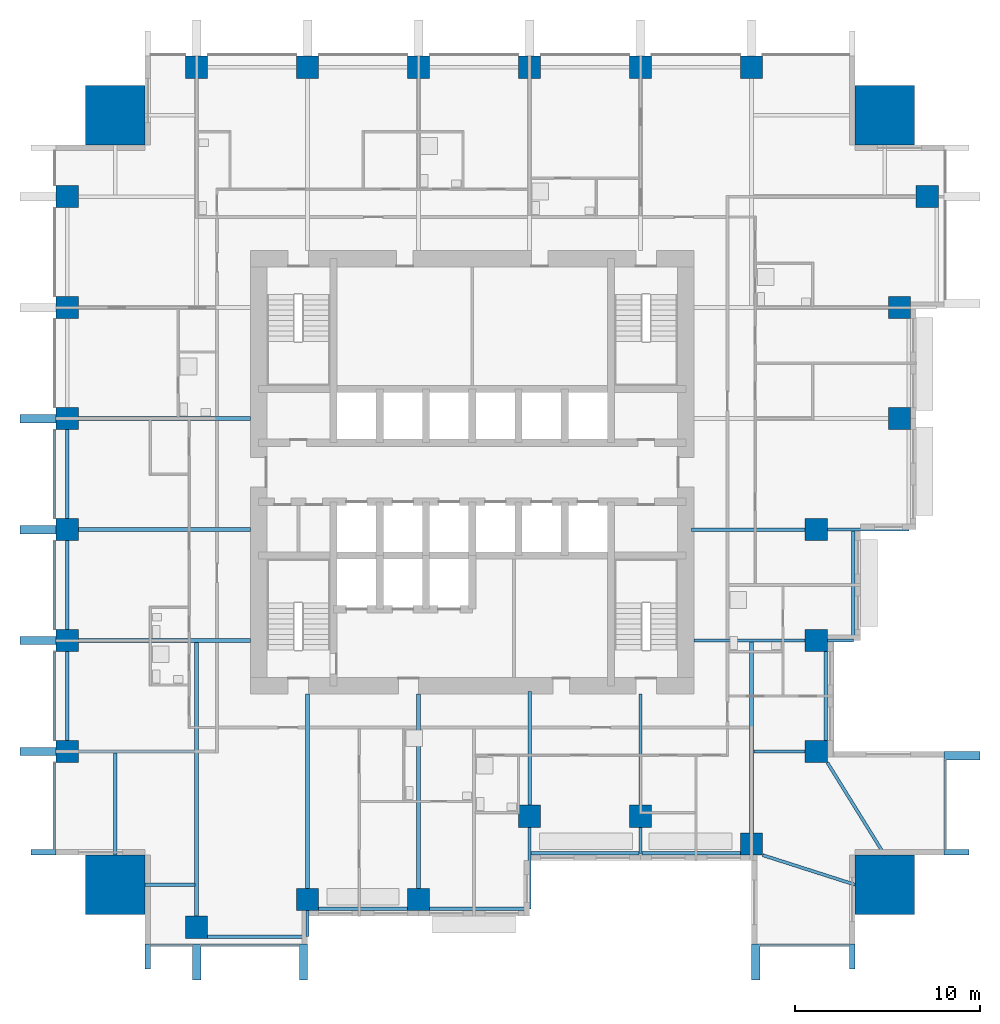
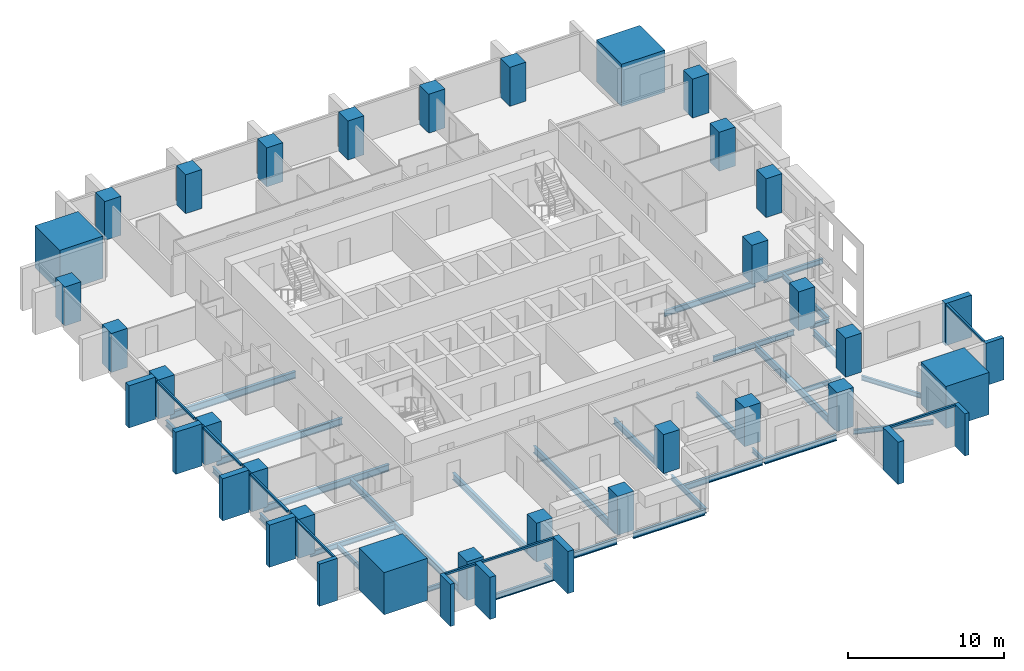
# One storey, part 1 of 10: 32 beams, 28 columns, 20 members, 4 elements without a shape of their own.
"""IFC4 building model written with IfcOpenShell, lengths in metres."""

from ifc_helpers import new_model, si_unit, direction, frame, origin, origin_2d, place, context, subcontext, project, spatial, rectangle, i_section, extrude, material, material_profile, profile_set, type_object, element, aggregate, save


model = new_model("IFC4")

# Units and contexts
model_context = context("Model", 3, precision=1e-05, world=origin(), true_north=direction((0.0, 1.0)))
body_context = subcontext(model_context, "Body", "Model", "MODEL_VIEW")
ifc_project = project(units=[si_unit("LENGTHUNIT", "METRE"), si_unit("AREAUNIT", "SQUARE_METRE"), si_unit("VOLUMEUNIT", "CUBIC_METRE"), si_unit("PLANEANGLEUNIT", "RADIAN"), si_unit("MASSUNIT", "GRAM", prefix="KILO")], contexts=[model_context])

# Site, building, storey
site_placement = place(None, origin())
site = spatial("IfcSite", under=ifc_project, at=site_placement, CompositionType="ELEMENT")
building_placement = place(site_placement, origin())
building = spatial("IfcBuilding", under=site, at=building_placement, Name="Amberfall Residences", CompositionType="ELEMENT")
storey_placement = place(building_placement, frame((0.0, 0.0, 40.0)))
storey = spatial("IfcBuildingStorey", under=building, at=storey_placement, Name="L10", CompositionType="ELEMENT", Elevation=40.0)

# Columns
ifc_material_1 = material(Name="Concrete C80", Category="concrete")
ifc_material_profile_1 = material_profile(ifc_material_1, rectangle(XDim=1.199951171875, YDim=1.199951171875, at=origin_2d()), Name="Column 1200 x 1200 C80")
ifc_profile_set_1 = profile_set([ifc_material_profile_1], Name="Concrete C80")
column_type_1 = type_object("IfcColumnType", Name="Column 1200 x 1200 C80", PredefinedType="COLUMN", material=ifc_profile_set_1)
for number, where, z_axis, x_axis, name in (
    (1, (59.60009765625, 20.89990234375, 0.0), (0.0, 0.0, 1.0), (1.0, 0.0, 0.0), "Column C1 L10 S1"),
    (2, (65.60009765625, 22.39990234375, 0.0), (0.0, 0.0, 1.0), (1.0, 0.0, 0.0), "Column C1 L10 S2"),
    (3, (71.60009765625, 22.39990234375, 0.0), (0.0, 0.0, 1.0), (1.0, 0.0, 0.0), "Column C1 L10 S3"),
    (4, (77.60009765625, 26.89990234375, 0.0), (0.0, 0.0, 1.0), (1.0, 0.0, 0.0), "Column C1 L10 S4"),
    (5, (83.60009765625, 26.89990234375, 0.0), (0.0, 0.0, 1.0), (1.0, 0.0, 0.0), "Column C1 L10 S5"),
    (6, (89.60009765625, 25.39990234375, 0.0), (0.0, 0.0, 1.0), (1.0, 0.0, 0.0), "Column C1 L10 S6"),
    (7, (93.10009765625, 30.39990234375, 0.0), (0.0, 0.0, 1.0), (1.0, 0.0, 0.0), "Column C1 L10 E1"),
    (8, (93.10009765625, 36.39990234375, 0.0), (0.0, 0.0, 1.0), (1.0, 0.0, 0.0), "Column C1 L10 E2"),
    (9, (93.10009765625, 42.39990234375, 0.0), (0.0, 0.0, 1.0), (1.0, 0.0, 0.0), "Column C1 L10 E3"),
    (10, (97.60009765625, 48.39990234375, 0.0), (0.0, 0.0, 1.0), (1.0, 0.0, 0.0), "Column C1 L10 E4"),
    (11, (97.60009765625, 54.39990234375, 0.0), (0.0, 0.0, 1.0), (1.0, 0.0, 0.0), "Column C1 L10 E5"),
    (12, (99.10009765625, 60.39990234375, 0.0), (0.0, 0.0, 1.0), (1.0, 0.0, 0.0), "Column C1 L10 E6"),
    (13, (59.60009765625, 67.39990234375, 0.0), (0.0, 0.0, 1.0), (1.0, 0.0, 0.0), "Column C1 L10 N1"),
    (14, (65.60009765625, 67.39990234375, 0.0), (0.0, 0.0, 1.0), (1.0, 0.0, 0.0), "Column C1 L10 N2"),
    (15, (71.60009765625, 67.39990234375, 0.0), (0.0, 0.0, 1.0), (1.0, 0.0, 0.0), "Column C1 L10 N3"),
    (16, (77.60009765625, 67.39990234375, 0.0), (0.0, 0.0, 1.0), (1.0, 0.0, 0.0), "Column C1 L10 N4"),
    (17, (83.60009765625, 67.39990234375, 0.0), (0.0, 0.0, 1.0), (1.0, 0.0, 0.0), "Column C1 L10 N5"),
    (18, (89.60009765625, 67.39990234375, 0.0), (0.0, 0.0, 1.0), (1.0, 0.0, 0.0), "Column C1 L10 N6"),
    (19, (52.60009765625, 30.39990234375, 0.0), (0.0, 0.0, 1.0), (1.0, 0.0, 0.0), "Column C1 L10 W1"),
    (20, (52.60009765625, 36.39990234375, 0.0), (0.0, 0.0, 1.0), (1.0, 0.0, 0.0), "Column C1 L10 W2"),
    (21, (52.60009765625, 42.39990234375, 0.0), (0.0, 0.0, 1.0), (1.0, 0.0, 0.0), "Column C1 L10 W3"),
    (22, (52.60009765625, 48.39990234375, 0.0), (0.0, 0.0, 1.0), (1.0, 0.0, 0.0), "Column C1 L10 W4"),
    (23, (52.60009765625, 54.39990234375, 0.0), (0.0, 0.0, 1.0), (1.0, 0.0, 0.0), "Column C1 L10 W5"),
    (24, (52.60009765625, 60.39990234375, 0.0), (0.0, 0.0, 1.0), (1.0, 0.0, 0.0), "Column C1 L10 W6"),
):
    element("IfcColumn", number, at=place(storey_placement, frame(where, z_axis=z_axis, x_axis=x_axis)), inside=storey, type_object=column_type_1, Name=name, PredefinedType="COLUMN", context=body_context, shape_type="SweptSolid", body=[
        extrude(rectangle(XDim=1.199951171875, YDim=1.199951171875, at=origin_2d()), origin(), (0.0, 0.0, 1.0), 3.050048828125),
    ])
ifc_material_profile_2 = material_profile(ifc_material_1, rectangle(XDim=3.199951171875, YDim=3.199951171875, at=origin_2d()), Name="Mega column 3200 x 3200 C80")
ifc_profile_set_2 = profile_set([ifc_material_profile_2], Name="Concrete C80")
column_type_2 = type_object("IfcColumnType", Name="Mega column 3200 x 3200 C80", PredefinedType="COLUMN", material=ifc_profile_set_2)
for number, where, z_axis, x_axis, name in (
    (25, (55.199951171875, 23.199951171875, 0.0), (0.0, 0.0, 1.0), (1.0, 0.0, 0.0), "Mega column MC1 L10 SW"),
    (26, (96.800048828125, 23.199951171875, 0.0), (0.0, 0.0, 1.0), (1.0, 0.0, 0.0), "Mega column MC1 L10 SE"),
    (27, (96.800048828125, 64.800048828125, 0.0), (0.0, 0.0, 1.0), (1.0, 0.0, 0.0), "Mega column MC1 L10 NE"),
    (28, (55.199951171875, 64.800048828125, 0.0), (0.0, 0.0, 1.0), (1.0, 0.0, 0.0), "Mega column MC1 L10 NW"),
):
    element("IfcColumn", number, at=place(storey_placement, frame(where, z_axis=z_axis, x_axis=x_axis)), inside=storey, type_object=column_type_2, Name=name, PredefinedType="COLUMN", context=body_context, shape_type="SweptSolid", body=[
        extrude(rectangle(XDim=3.199951171875, YDim=3.199951171875, at=origin_2d()), origin(), (0.0, 0.0, 1.0), 3.300048828125),
    ])

# Curtain wall, members
ifc_material_2 = material(Name="Bronze anodised aluminium and glass", Category="aluminium")
curtain_wall_type = type_object("IfcCurtainWallType", Name="Curtain wall CW1 tower unit", PredefinedType="USERDEFINED", material=ifc_material_2)
curtain_wall_1_placement = place(storey_placement, origin())
curtain_wall_1 = element("IfcCurtainWall", 29, at=curtain_wall_1_placement, inside=storey, type_object=curtain_wall_type, Name="Curtain wall L10 S S1", ObjectType="UNITISED CURTAIN WALL", PredefinedType="USERDEFINED")
ifc_material_3 = material(Name="Bronze anodised aluminium", Category="aluminium")
ifc_material_profile_3 = material_profile(ifc_material_3, rectangle(XDim=0.14990234375, YDim=0.14990234375, at=origin_2d()), Name="CW1 transom 150 x 150 bronze")
ifc_profile_set_3 = profile_set([ifc_material_profile_3], Name="Bronze anodised aluminium")
member_type_1 = type_object("IfcMemberType", Name="CW1 transom 150 x 150 bronze", PredefinedType="USERDEFINED", material=ifc_profile_set_3)
member_1_placement = place(storey_placement, frame((57.10009765625, 19.925048828125, 2.97509765625), z_axis=(1.0, 0.0, 0.0), x_axis=(0.0, 1.0, 0.0)))
member_1 = element("IfcMember", 30, at=member_1_placement, type_object=member_type_1, Name="CW1 transom 1.1", ObjectType="TRANSOM", PredefinedType="USERDEFINED", context=body_context, shape_type="SweptSolid", body=[
    extrude(rectangle(XDim=0.14990234375, YDim=0.14990234375, at=origin_2d()), origin(), (0.0, 0.0, 1.0), 2.27490234375),
])
member_2_placement = place(storey_placement, frame((59.824951171875, 19.925048828125, 2.97509765625), z_axis=(1.0, 0.0, 0.0), x_axis=(0.0, 1.0, 0.0)))
member_2 = element("IfcMember", 31, at=member_2_placement, type_object=member_type_1, Name="CW1 transom 2.1", ObjectType="TRANSOM", PredefinedType="USERDEFINED", context=body_context, shape_type="SweptSolid", body=[
    extrude(rectangle(XDim=0.14990234375, YDim=0.14990234375, at=origin_2d()), origin(), (0.0, 0.0, 1.0), 5.324951171875),
])

# Curtain wall, member
curtain_wall_2_placement = place(storey_placement, origin())
curtain_wall_2 = element("IfcCurtainWall", 32, at=curtain_wall_2_placement, inside=storey, type_object=curtain_wall_type, Name="Curtain wall L10 S S9", ObjectType="UNITISED CURTAIN WALL", PredefinedType="USERDEFINED")
member_3_placement = place(storey_placement, frame((90.050048828125, 19.925048828125, 2.97509765625), z_axis=(1.0, 0.0, 0.0), x_axis=(0.0, 1.0, 0.0)))
member_3 = element("IfcMember", 33, at=member_3_placement, type_object=member_type_1, Name="CW1 transom 1.1", ObjectType="TRANSOM", PredefinedType="USERDEFINED", context=body_context, shape_type="SweptSolid", body=[
    extrude(rectangle(XDim=0.14990234375, YDim=0.14990234375, at=origin_2d()), origin(), (0.0, 0.0, 1.0), 4.849853515625),
])

curtain_wall_3_placement = place(storey_placement, origin())
curtain_wall_3 = element("IfcCurtainWall", 34, at=curtain_wall_3_placement, inside=storey, type_object=curtain_wall_type, Name="Curtain wall L10 E E1", ObjectType="UNITISED CURTAIN WALL", PredefinedType="USERDEFINED")
member_4_placement = place(storey_placement, frame((100.074951171875, 25.10009765625, 2.97509765625), z_axis=(0.0, 1.0, 0.0), x_axis=(-1.0, 0.0, 0.0)))
member_4 = element("IfcMember", 35, at=member_4_placement, type_object=member_type_1, Name="CW1 transom 1.1", ObjectType="TRANSOM", PredefinedType="USERDEFINED", context=body_context, shape_type="SweptSolid", body=[
    extrude(rectangle(XDim=0.14990234375, YDim=0.14990234375, at=origin_2d()), origin(), (0.0, 0.0, 1.0), 4.849853515625),
])

# Curtain wall, members
curtain_wall_4_placement = place(storey_placement, origin())
curtain_wall_4 = element("IfcCurtainWall", 36, at=curtain_wall_4_placement, inside=storey, type_object=curtain_wall_type, Name="Curtain wall L10 W W1", ObjectType="UNITISED CURTAIN WALL", PredefinedType="USERDEFINED")
member_5_placement = place(storey_placement, frame((51.925048828125, 47.794921875, 2.97509765625), z_axis=(0.0, -1.0, 0.0), x_axis=(1.0, 0.0, 0.0)))
member_5 = element("IfcMember", 37, at=member_5_placement, type_object=member_type_1, Name="CW1 transom 4.1", ObjectType="TRANSOM", PredefinedType="USERDEFINED", context=body_context, shape_type="SweptSolid", body=[
    extrude(rectangle(XDim=0.14990234375, YDim=0.14990234375, at=origin_2d()), origin(), (0.0, 0.0, 1.0), 4.7900390625),
])
member_6_placement = place(storey_placement, frame((51.925048828125, 41.794921875, 2.97509765625), z_axis=(0.0, -1.0, 0.0), x_axis=(1.0, 0.0, 0.0)))
member_6 = element("IfcMember", 38, at=member_6_placement, type_object=member_type_1, Name="CW1 transom 5.1", ObjectType="TRANSOM", PredefinedType="USERDEFINED", context=body_context, shape_type="SweptSolid", body=[
    extrude(rectangle(XDim=0.14990234375, YDim=0.14990234375, at=origin_2d()), origin(), (0.0, 0.0, 1.0), 4.7900390625),
])
member_7_placement = place(storey_placement, frame((51.925048828125, 35.794921875, 2.97509765625), z_axis=(0.0, -1.0, 0.0), x_axis=(1.0, 0.0, 0.0)))
member_7 = element("IfcMember", 39, at=member_7_placement, type_object=member_type_1, Name="CW1 transom 6.1", ObjectType="TRANSOM", PredefinedType="USERDEFINED", context=body_context, shape_type="SweptSolid", body=[
    extrude(rectangle(XDim=0.14990234375, YDim=0.14990234375, at=origin_2d()), origin(), (0.0, 0.0, 1.0), 4.7900390625),
])
member_8_placement = place(storey_placement, frame((51.925048828125, 29.794921875, 2.97509765625), z_axis=(0.0, -1.0, 0.0), x_axis=(1.0, 0.0, 0.0)))
member_8 = element("IfcMember", 40, at=member_8_placement, type_object=member_type_1, Name="CW1 transom 7.1", ObjectType="TRANSOM", PredefinedType="USERDEFINED", context=body_context, shape_type="SweptSolid", body=[
    extrude(rectangle(XDim=0.14990234375, YDim=0.14990234375, at=origin_2d()), origin(), (0.0, 0.0, 1.0), 4.69482421875),
])

# Beams
ifc_material_4 = material(Name="Steel S355", Category="steel")
ifc_material_profile_4 = material_profile(ifc_material_4, i_section(OverallWidth=0.171142578125, OverallDepth=0.351318359375, WebThickness=0.007080078125, FlangeThickness=0.009765625, FilletRadius=0.01025390625, at=origin_2d()), Name="UB 356x171x45")
ifc_profile_set_4 = profile_set([ifc_material_profile_4], Name="Steel S355")
beam_type_1 = type_object("IfcBeamType", Name="Cantilever girder UB 356x171x45", PredefinedType="BEAM", material=ifc_profile_set_4)
for number, where, z_axis, x_axis, name in (
    (41, (65.60009765625, 21.800048828125, -0.42578125), (0.0, -1.0, 0.0), (1.0, 0.0, 0.0), "Cantilever girder B8 L10 06"),
    (42, (83.60009765625, 26.300048828125, -0.42578125), (0.0, -1.0, 0.0), (1.0, 0.0, 0.0), "Cantilever girder B8 L10 08"),
    (43, (93.699951171875, 36.39990234375, -0.42578125), (1.0, 0.0, 0.0), (0.0, 1.0, 0.0), "Cantilever girder B8 L10 20"),
):
    element("IfcBeam", number, at=place(storey_placement, frame(where, z_axis=z_axis, x_axis=x_axis)), inside=storey, type_object=beam_type_1, Name=name, PredefinedType="BEAM", context=body_context, shape_type="SweptSolid", body=[
        extrude(i_section(OverallWidth=0.171142578125, OverallDepth=0.351318359375, WebThickness=0.007080078125, FlangeThickness=0.009765625, FilletRadius=0.01025390625, at=origin_2d()), origin(), (0.0, 0.0, 1.0), 1.400146484375),
    ])
ifc_material_profile_5 = material_profile(ifc_material_4, i_section(OverallWidth=0.177734375, OverallDepth=0.402587890625, WebThickness=0.0078125, FlangeThickness=0.010986328125, FilletRadius=0.01025390625, at=origin_2d()), Name="UB 406x178x54")
ifc_profile_set_5 = profile_set([ifc_material_profile_5], Name="Steel S355")
beam_type_2 = type_object("IfcBeamType", Name="Cantilever girder UB 406x178x54", PredefinedType="BEAM", material=ifc_profile_set_5)
for number, where, z_axis, x_axis, name in (
    (44, (77.60009765625, 26.300048828125, -0.451416015625), (0.0, -1.0, 0.0), (1.0, 0.0, 0.0), "Cantilever girder B9 L10 07"),
    (45, (93.699951171875, 42.39990234375, -0.451416015625), (1.0, 0.0, 0.0), (0.0, 1.0, 0.0), "Cantilever girder B9 L10 21"),
):
    element("IfcBeam", number, at=place(storey_placement, frame(where, z_axis=z_axis, x_axis=x_axis)), inside=storey, type_object=beam_type_2, Name=name, PredefinedType="BEAM", context=body_context, shape_type="SweptSolid", body=[
        extrude(i_section(OverallWidth=0.177734375, OverallDepth=0.402587890625, WebThickness=0.0078125, FlangeThickness=0.010986328125, FilletRadius=0.01025390625, at=origin_2d()), origin(), (0.0, 0.0, 1.0), 4.400146484375),
    ])

# Member
ifc_material_profile_6 = material_profile(ifc_material_3, rectangle(XDim=1.35009765625, YDim=0.300048828125, at=origin_2d()), Name="Corner fin 300 x 1350 bronze")
ifc_profile_set_6 = profile_set([ifc_material_profile_6], Name="Bronze anodised aluminium")
member_type_2 = type_object("IfcMemberType", Name="Corner fin 300 x 1350 bronze", PredefinedType="MULLION", material=ifc_profile_set_6)
member_9_placement = place(storey_placement, frame((56.949951171875, 19.324951171875, -0.25), z_axis=(0.0, 0.0, 1.0), x_axis=(0.0, 1.0, 0.0)))
member_9 = element("IfcMember", 46, at=member_9_placement, type_object=member_type_2, Name="CW FIN 1", PredefinedType="MULLION", context=body_context, shape_type="SweptSolid", body=[
    extrude(rectangle(XDim=1.35009765625, YDim=0.300048828125, at=origin_2d()), origin(), (0.0, 0.0, 1.0), 3.300048828125),
])

member_10_placement = place(storey_placement, frame((95.050048828125, 19.324951171875, -0.25), z_axis=(0.0, 0.0, 1.0), x_axis=(0.0, 1.0, 0.0)))
member_10 = element("IfcMember", 47, at=member_10_placement, type_object=member_type_2, Name="CW FIN 2", PredefinedType="MULLION", context=body_context, shape_type="SweptSolid", body=[
    extrude(rectangle(XDim=1.35009765625, YDim=0.300048828125, at=origin_2d()), origin(), (0.0, 0.0, 1.0), 3.300048828125),
])

member_11_placement = place(storey_placement, frame((100.675048828125, 24.949951171875, -0.25), z_axis=(0.0, 0.0, 1.0), x_axis=(-1.0, 0.0, 0.0)))
member_11 = element("IfcMember", 48, at=member_11_placement, type_object=member_type_2, Name="CW FIN 1", PredefinedType="MULLION", context=body_context, shape_type="SweptSolid", body=[
    extrude(rectangle(XDim=1.35009765625, YDim=0.300048828125, at=origin_2d()), origin(), (0.0, 0.0, 1.0), 3.300048828125),
])

member_12_placement = place(storey_placement, frame((51.324951171875, 24.949951171875, -0.25), z_axis=(0.0, 0.0, 1.0), x_axis=(1.0, 0.0, 0.0)))
member_12 = element("IfcMember", 49, at=member_12_placement, type_object=member_type_2, Name="CW FIN 8", PredefinedType="MULLION", context=body_context, shape_type="SweptSolid", body=[
    extrude(rectangle(XDim=1.35009765625, YDim=0.300048828125, at=origin_2d()), origin(), (0.0, 0.0, 1.0), 3.300048828125),
])

# Beams
ifc_material_profile_7 = material_profile(ifc_material_4, i_section(OverallWidth=0.18994140625, OverallDepth=0.453369140625, WebThickness=0.008544921875, FlangeThickness=0.0126953125, FilletRadius=0.01025390625, at=origin_2d()), Name="UB 457x191x67")
ifc_profile_set_7 = profile_set([ifc_material_profile_7], Name="Steel S355")
beam_type_3 = type_object("IfcBeamType", Name="Edge beam UB 457x191x67", PredefinedType="SPANDREL", material=ifc_profile_set_7)
beam_1_placement = place(storey_placement, frame((60.199951171875, 20.39990234375, -0.476806640625), z_axis=(1.0, 0.0, 0.0), x_axis=(0.0, 1.0, 0.0)))
element("IfcBeam", 50, at=beam_1_placement, inside=storey, type_object=beam_type_3, Name="Edge beam B1 L10 01", PredefinedType="SPANDREL", context=body_context, shape_type="SweptSolid", body=[
    extrude(i_section(OverallWidth=0.18994140625, OverallDepth=0.453369140625, WebThickness=0.008544921875, FlangeThickness=0.0126953125, FilletRadius=0.01025390625, at=origin_2d()), origin(), (0.0, 0.0, 1.0), 5.320068359375),
])
beam_2_placement = place(storey_placement, frame((66.199951171875, 21.89990234375, -0.476806640625), z_axis=(1.0, 0.0, 0.0), x_axis=(0.0, 1.0, 0.0)))
element("IfcBeam", 51, at=beam_2_placement, inside=storey, type_object=beam_type_3, Name="Edge beam B1 L10 02", PredefinedType="SPANDREL", context=body_context, shape_type="SweptSolid", body=[
    extrude(i_section(OverallWidth=0.18994140625, OverallDepth=0.453369140625, WebThickness=0.008544921875, FlangeThickness=0.0126953125, FilletRadius=0.01025390625, at=origin_2d()), origin(), (0.0, 0.0, 1.0), 4.800048828125),
])
beam_3_placement = place(storey_placement, frame((72.199951171875, 21.89990234375, -0.476806640625), z_axis=(1.0, 0.0, 0.0), x_axis=(0.0, 1.0, 0.0)))
element("IfcBeam", 52, at=beam_3_placement, inside=storey, type_object=beam_type_3, Name="Edge beam B1 L10 03", PredefinedType="SPANDREL", context=body_context, shape_type="SweptSolid", body=[
    extrude(i_section(OverallWidth=0.18994140625, OverallDepth=0.453369140625, WebThickness=0.008544921875, FlangeThickness=0.0126953125, FilletRadius=0.01025390625, at=origin_2d()), origin(), (0.0, 0.0, 1.0), 5.320068359375),
])
beam_4_placement = place(storey_placement, frame((77.679931640625, 24.89990234375, -0.476806640625), z_axis=(1.0, 0.0, 0.0), x_axis=(0.0, 1.0, 0.0)))
element("IfcBeam", 53, at=beam_4_placement, inside=storey, type_object=beam_type_3, Name="Edge beam B1 L10 04", PredefinedType="SPANDREL", context=body_context, shape_type="SweptSolid", body=[
    extrude(i_section(OverallWidth=0.18994140625, OverallDepth=0.453369140625, WebThickness=0.008544921875, FlangeThickness=0.0126953125, FilletRadius=0.01025390625, at=origin_2d()), origin(), (0.0, 0.0, 1.0), 5.840087890625),
])
beam_5_placement = place(storey_placement, frame((83.679931640625, 24.89990234375, -0.476806640625), z_axis=(1.0, 0.0, 0.0), x_axis=(0.0, 1.0, 0.0)))
element("IfcBeam", 54, at=beam_5_placement, inside=storey, type_object=beam_type_3, Name="Edge beam B1 L10 05", PredefinedType="SPANDREL", context=body_context, shape_type="SweptSolid", body=[
    extrude(i_section(OverallWidth=0.18994140625, OverallDepth=0.453369140625, WebThickness=0.008544921875, FlangeThickness=0.0126953125, FilletRadius=0.01025390625, at=origin_2d()), origin(), (0.0, 0.0, 1.0), 5.320068359375),
])
beam_6_placement = place(storey_placement, frame((93.60009765625, 31.0, -0.476806640625), z_axis=(0.0, 1.0, 0.0), x_axis=(-1.0, 0.0, 0.0)))
element("IfcBeam", 55, at=beam_6_placement, inside=storey, type_object=beam_type_3, Name="Edge beam B1 L10 15", PredefinedType="SPANDREL", context=body_context, shape_type="SweptSolid", body=[
    extrude(i_section(OverallWidth=0.18994140625, OverallDepth=0.453369140625, WebThickness=0.008544921875, FlangeThickness=0.0126953125, FilletRadius=0.01025390625, at=origin_2d()), origin(), (0.0, 0.0, 1.0), 4.800048828125),
])
beam_7_placement = place(storey_placement, frame((95.10009765625, 36.47998046875, -0.476806640625), z_axis=(0.0, 1.0, 0.0), x_axis=(-1.0, 0.0, 0.0)))
element("IfcBeam", 56, at=beam_7_placement, inside=storey, type_object=beam_type_3, Name="Edge beam B1 L10 16", PredefinedType="SPANDREL", context=body_context, shape_type="SweptSolid", body=[
    extrude(i_section(OverallWidth=0.18994140625, OverallDepth=0.453369140625, WebThickness=0.008544921875, FlangeThickness=0.0126953125, FilletRadius=0.01025390625, at=origin_2d()), origin(), (0.0, 0.0, 1.0), 5.840087890625),
])
for number, where, z_axis, x_axis, name in (
    (57, (52.60009765625, 31.0, -0.476806640625), (0.0, 1.0, 0.0), (-1.0, 0.0, 0.0), "Edge beam B1 L10 40"),
    (58, (52.60009765625, 37.0, -0.476806640625), (0.0, 1.0, 0.0), (-1.0, 0.0, 0.0), "Edge beam B1 L10 41"),
    (59, (52.60009765625, 43.0, -0.476806640625), (0.0, 1.0, 0.0), (-1.0, 0.0, 0.0), "Edge beam B1 L10 42"),
):
    element("IfcBeam", number, at=place(storey_placement, frame(where, z_axis=z_axis, x_axis=x_axis)), inside=storey, type_object=beam_type_3, Name=name, PredefinedType="SPANDREL", context=body_context, shape_type="SweptSolid", body=[
        extrude(i_section(OverallWidth=0.18994140625, OverallDepth=0.453369140625, WebThickness=0.008544921875, FlangeThickness=0.0126953125, FilletRadius=0.01025390625, at=origin_2d()), origin(), (0.0, 0.0, 1.0), 4.800048828125),
    ])

# Member
ifc_material_profile_8 = material_profile(ifc_material_3, rectangle(XDim=1.949951171875, YDim=0.449951171875, at=origin_2d()), Name="Fin 450 x 1950 bronze")
ifc_profile_set_8 = profile_set([ifc_material_profile_8], Name="Bronze anodised aluminium")
member_type_3 = type_object("IfcMemberType", Name="Fin 450 x 1950 bronze", PredefinedType="MULLION", material=ifc_profile_set_8)
member_13_placement = place(storey_placement, frame((59.60009765625, 19.02490234375, -0.25), z_axis=(0.0, 0.0, 1.0), x_axis=(0.0, 1.0, 0.0)))
member_13 = element("IfcMember", 60, at=member_13_placement, type_object=member_type_3, Name="CW FIN 2", PredefinedType="MULLION", context=body_context, shape_type="SweptSolid", body=[
    extrude(rectangle(XDim=1.949951171875, YDim=0.449951171875, at=origin_2d()), origin(), (0.0, 0.0, 1.0), 3.300048828125),
])

member_14_placement = place(storey_placement, frame((65.375, 19.02490234375, -0.25), z_axis=(0.0, 0.0, 1.0), x_axis=(0.0, 1.0, 0.0)))
member_14 = element("IfcMember", 61, at=member_14_placement, type_object=member_type_3, Name="CW FIN 3", PredefinedType="MULLION", context=body_context, shape_type="SweptSolid", body=[
    extrude(rectangle(XDim=1.949951171875, YDim=0.449951171875, at=origin_2d()), origin(), (0.0, 0.0, 1.0), 3.300048828125),
])

aggregate(curtain_wall_1, [member_9, member_13, member_14, member_1, member_2])

member_15_placement = place(storey_placement, frame((89.824951171875, 19.02490234375, -0.25), z_axis=(0.0, 0.0, 1.0), x_axis=(0.0, 1.0, 0.0)))
member_15 = element("IfcMember", 62, at=member_15_placement, type_object=member_type_3, Name="CW FIN 1", PredefinedType="MULLION", context=body_context, shape_type="SweptSolid", body=[
    extrude(rectangle(XDim=1.949951171875, YDim=0.449951171875, at=origin_2d()), origin(), (0.0, 0.0, 1.0), 3.300048828125),
])

aggregate(curtain_wall_2, [member_15, member_10, member_3])

member_16_placement = place(storey_placement, frame((100.97509765625, 30.175048828125, -0.25), z_axis=(0.0, 0.0, 1.0), x_axis=(-1.0, 0.0, 0.0)))
member_16 = element("IfcMember", 63, at=member_16_placement, type_object=member_type_3, Name="CW FIN 2", PredefinedType="MULLION", context=body_context, shape_type="SweptSolid", body=[
    extrude(rectangle(XDim=1.949951171875, YDim=0.449951171875, at=origin_2d()), origin(), (0.0, 0.0, 1.0), 3.300048828125),
])

aggregate(curtain_wall_3, [member_11, member_16, member_4])

member_17_placement = place(storey_placement, frame((51.02490234375, 48.39990234375, -0.25), z_axis=(0.0, 0.0, 1.0), x_axis=(1.0, 0.0, 0.0)))
member_17 = element("IfcMember", 64, at=member_17_placement, type_object=member_type_3, Name="CW FIN 4", PredefinedType="MULLION", context=body_context, shape_type="SweptSolid", body=[
    extrude(rectangle(XDim=1.949951171875, YDim=0.449951171875, at=origin_2d()), origin(), (0.0, 0.0, 1.0), 3.300048828125),
])

member_18_placement = place(storey_placement, frame((51.02490234375, 42.39990234375, -0.25), z_axis=(0.0, 0.0, 1.0), x_axis=(1.0, 0.0, 0.0)))
member_18 = element("IfcMember", 65, at=member_18_placement, type_object=member_type_3, Name="CW FIN 5", PredefinedType="MULLION", context=body_context, shape_type="SweptSolid", body=[
    extrude(rectangle(XDim=1.949951171875, YDim=0.449951171875, at=origin_2d()), origin(), (0.0, 0.0, 1.0), 3.300048828125),
])

member_19_placement = place(storey_placement, frame((51.02490234375, 36.39990234375, -0.25), z_axis=(0.0, 0.0, 1.0), x_axis=(1.0, 0.0, 0.0)))
member_19 = element("IfcMember", 66, at=member_19_placement, type_object=member_type_3, Name="CW FIN 6", PredefinedType="MULLION", context=body_context, shape_type="SweptSolid", body=[
    extrude(rectangle(XDim=1.949951171875, YDim=0.449951171875, at=origin_2d()), origin(), (0.0, 0.0, 1.0), 3.300048828125),
])

member_20_placement = place(storey_placement, frame((51.02490234375, 30.39990234375, -0.25), z_axis=(0.0, 0.0, 1.0), x_axis=(1.0, 0.0, 0.0)))
member_20 = element("IfcMember", 67, at=member_20_placement, type_object=member_type_3, Name="CW FIN 7", PredefinedType="MULLION", context=body_context, shape_type="SweptSolid", body=[
    extrude(rectangle(XDim=1.949951171875, YDim=0.449951171875, at=origin_2d()), origin(), (0.0, 0.0, 1.0), 3.300048828125),
])

aggregate(curtain_wall_4, [member_17, member_18, member_19, member_20, member_12, member_5, member_6, member_7, member_8])

# Beams
ifc_material_profile_9 = material_profile(ifc_material_4, i_section(OverallWidth=0.171142578125, OverallDepth=0.351318359375, WebThickness=0.007080078125, FlangeThickness=0.009765625, FilletRadius=0.01025390625, at=origin_2d()), Name="UB 356x171x45")
ifc_profile_set_9 = profile_set([ifc_material_profile_9], Name="Steel S355")
beam_type_4 = type_object("IfcBeamType", Name="Floor girder UB 356x171x45", PredefinedType="BEAM", material=ifc_profile_set_9)
beam_8_placement = place(storey_placement, frame((92.5, 30.39990234375, -0.42578125), z_axis=(-1.0, 0.0, 0.0), x_axis=(0.0, -1.0, 0.0)))
element("IfcBeam", 68, at=beam_8_placement, inside=storey, type_object=beam_type_4, Name="Floor girder B11 L10 23", PredefinedType="BEAM", context=body_context, shape_type="SweptSolid", body=[
    extrude(i_section(OverallWidth=0.171142578125, OverallDepth=0.351318359375, WebThickness=0.007080078125, FlangeThickness=0.009765625, FilletRadius=0.01025390625, at=origin_2d()), origin(), (0.0, 0.0, 1.0), 2.780029296875),
])
ifc_material_profile_10 = material_profile(ifc_material_4, i_section(OverallWidth=0.177734375, OverallDepth=0.402587890625, WebThickness=0.0078125, FlangeThickness=0.010986328125, FilletRadius=0.01025390625, at=origin_2d()), Name="UB 406x178x54")
ifc_profile_set_10 = profile_set([ifc_material_profile_10], Name="Steel S355")
beam_type_5 = type_object("IfcBeamType", Name="Floor girder UB 406x178x54", PredefinedType="BEAM", material=ifc_profile_set_10)
for number, where, z_axis, x_axis, name in (
    (69, (83.60009765625, 27.5, -0.451416015625), (0.0, 1.0, 0.0), (-1.0, 0.0, 0.0), "Floor girder B4 L10 13"),
    (70, (92.5, 36.39990234375, -0.451416015625), (-1.0, 0.0, 0.0), (0.0, -1.0, 0.0), "Floor girder B4 L10 24"),
):
    element("IfcBeam", number, at=place(storey_placement, frame(where, z_axis=z_axis, x_axis=x_axis)), inside=storey, type_object=beam_type_5, Name=name, PredefinedType="BEAM", context=body_context, shape_type="SweptSolid", body=[
        extrude(i_section(OverallWidth=0.177734375, OverallDepth=0.402587890625, WebThickness=0.0078125, FlangeThickness=0.010986328125, FilletRadius=0.01025390625, at=origin_2d()), origin(), (0.0, 0.0, 1.0), 6.0),
    ])
beam_9_placement = place(storey_placement, frame((53.199951171875, 30.39990234375, -0.451416015625), z_axis=(1.0, 0.0, 0.0), x_axis=(0.0, 1.0, 0.0)))
element("IfcBeam", 71, at=beam_9_placement, inside=storey, type_object=beam_type_5, Name="Floor girder B4 L10 45", PredefinedType="BEAM", context=body_context, shape_type="SweptSolid", body=[
    extrude(i_section(OverallWidth=0.177734375, OverallDepth=0.402587890625, WebThickness=0.0078125, FlangeThickness=0.010986328125, FilletRadius=0.01025390625, at=origin_2d()), origin(), (0.0, 0.0, 1.0), 6.280029296875),
])
ifc_material_profile_11 = material_profile(ifc_material_4, i_section(OverallWidth=0.19140625, OverallDepth=0.4599609375, WebThickness=0.010009765625, FlangeThickness=0.01611328125, FilletRadius=0.01025390625, at=origin_2d()), Name="UB 457x191x82")
ifc_profile_set_11 = profile_set([ifc_material_profile_11], Name="Steel S355")
beam_type_6 = type_object("IfcBeamType", Name="Floor girder UB 457x191x82", PredefinedType="BEAM", material=ifc_profile_set_11)
for number, where, z_axis, x_axis, name in (
    (72, (77.60009765625, 26.89990234375, -0.47998046875), (0.0, 1.0, 0.0), (-1.0, 0.0, 0.0), "Floor girder B10 L10 12"),
    (73, (93.10009765625, 42.39990234375, -0.47998046875), (-1.0, 0.0, 0.0), (0.0, -1.0, 0.0), "Floor girder B10 L10 25"),
):
    element("IfcBeam", number, at=place(storey_placement, frame(where, z_axis=z_axis, x_axis=x_axis)), inside=storey, type_object=beam_type_6, Name=name, PredefinedType="BEAM", context=body_context, shape_type="SweptSolid", body=[
        extrude(i_section(OverallWidth=0.19140625, OverallDepth=0.4599609375, WebThickness=0.010009765625, FlangeThickness=0.01611328125, FilletRadius=0.01025390625, at=origin_2d()), origin(), (0.0, 0.0, 1.0), 6.75),
    ])
ifc_material_profile_12 = material_profile(ifc_material_4, i_section(OverallWidth=0.210693359375, OverallDepth=0.53955078125, WebThickness=0.01171875, FlangeThickness=0.018798828125, FilletRadius=0.0126953125, at=origin_2d()), Name="UB 533x210x109")
ifc_profile_set_12 = profile_set([ifc_material_profile_12], Name="Steel S355")
beam_type_7 = type_object("IfcBeamType", Name="Floor girder UB 533x210x109", PredefinedType="BEAM", material=ifc_profile_set_12)
beam_10_placement = place(storey_placement, frame((59.60009765625, 21.5, -0.519775390625), z_axis=(0.0, 1.0, 0.0), x_axis=(-1.0, 0.0, 0.0)))
element("IfcBeam", 74, at=beam_10_placement, inside=storey, type_object=beam_type_7, Name="Floor girder B2 L10 09", PredefinedType="BEAM", context=body_context, shape_type="SweptSolid", body=[
    extrude(i_section(OverallWidth=0.210693359375, OverallDepth=0.53955078125, WebThickness=0.01171875, FlangeThickness=0.018798828125, FilletRadius=0.0126953125, at=origin_2d()), origin(), (0.0, 0.0, 1.0), 14.80029296875),
])
ifc_material_profile_13 = material_profile(ifc_material_4, i_section(OverallWidth=0.209228515625, OverallDepth=0.533203125, WebThickness=0.010009765625, FlangeThickness=0.015625, FilletRadius=0.0126953125, at=origin_2d()), Name="UB 533x210x92")
ifc_profile_set_13 = profile_set([ifc_material_profile_13], Name="Steel S355")
beam_type_8 = type_object("IfcBeamType", Name="Floor girder UB 533x210x92", PredefinedType="BEAM", material=ifc_profile_set_13)
for number, where, z_axis, x_axis, name in (
    (75, (65.60009765625, 23.0, -0.5166015625), (0.0, 1.0, 0.0), (-1.0, 0.0, 0.0), "Floor girder B3 L10 10"),
    (76, (71.60009765625, 23.0, -0.5166015625), (0.0, 1.0, 0.0), (-1.0, 0.0, 0.0), "Floor girder B3 L10 11"),
):
    element("IfcBeam", number, at=place(storey_placement, frame(where, z_axis=z_axis, x_axis=x_axis)), inside=storey, type_object=beam_type_8, Name=name, PredefinedType="BEAM", context=body_context, shape_type="SweptSolid", body=[
        extrude(i_section(OverallWidth=0.209228515625, OverallDepth=0.533203125, WebThickness=0.010009765625, FlangeThickness=0.015625, FilletRadius=0.0126953125, at=origin_2d()), origin(), (0.0, 0.0, 1.0), 10.5),
    ])
beam_11_placement = place(storey_placement, frame((89.60009765625, 26.0, -0.5166015625), z_axis=(0.0, 1.0, 0.0), x_axis=(-1.0, 0.0, 0.0)))
element("IfcBeam", 77, at=beam_11_placement, inside=storey, type_object=beam_type_8, Name="Floor girder B3 L10 14", PredefinedType="BEAM", context=body_context, shape_type="SweptSolid", body=[
    extrude(i_section(OverallWidth=0.209228515625, OverallDepth=0.533203125, WebThickness=0.010009765625, FlangeThickness=0.015625, FilletRadius=0.0126953125, at=origin_2d()), origin(), (0.0, 0.0, 1.0), 10.316162109375),
])
for number, where, z_axis, x_axis, name in (
    (78, (53.199951171875, 36.39990234375, -0.5166015625), (1.0, 0.0, 0.0), (0.0, 1.0, 0.0), "Floor girder B3 L10 46"),
    (79, (53.199951171875, 42.39990234375, -0.5166015625), (1.0, 0.0, 0.0), (0.0, 1.0, 0.0), "Floor girder B3 L10 47"),
    (80, (53.199951171875, 48.39990234375, -0.5166015625), (1.0, 0.0, 0.0), (0.0, 1.0, 0.0), "Floor girder B3 L10 48"),
):
    element("IfcBeam", number, at=place(storey_placement, frame(where, z_axis=z_axis, x_axis=x_axis)), inside=storey, type_object=beam_type_8, Name=name, PredefinedType="BEAM", context=body_context, shape_type="SweptSolid", body=[
        extrude(i_section(OverallWidth=0.209228515625, OverallDepth=0.533203125, WebThickness=0.010009765625, FlangeThickness=0.015625, FilletRadius=0.0126953125, at=origin_2d()), origin(), (0.0, 0.0, 1.0), 9.300048828125),
    ])
ifc_material_profile_14 = material_profile(ifc_material_4, i_section(OverallWidth=0.171142578125, OverallDepth=0.351318359375, WebThickness=0.007080078125, FlangeThickness=0.009765625, FilletRadius=0.01025390625, at=origin_2d()), Name="UB 356x171x45")
ifc_profile_set_14 = profile_set([ifc_material_profile_14], Name="Steel S355")
beam_type_9 = type_object("IfcBeamType", Name="Link beam UB 356x171x45", PredefinedType="BEAM", material=ifc_profile_set_14)
beam_12_placement = place(storey_placement, frame((56.800048828125, 23.199951171875, -0.42578125), z_axis=(1.0, 0.0, 0.0), x_axis=(0.0, 1.0, 0.0)))
element("IfcBeam", 81, at=beam_12_placement, inside=storey, type_object=beam_type_9, Name="Link beam B7 L10 51", PredefinedType="BEAM", context=body_context, shape_type="SweptSolid", body=[
    extrude(i_section(OverallWidth=0.171142578125, OverallDepth=0.351318359375, WebThickness=0.007080078125, FlangeThickness=0.009765625, FilletRadius=0.01025390625, at=origin_2d()), origin(), (0.0, 0.0, 1.0), 2.70458984375),
])
beam_13_placement = place(storey_placement, frame((55.199951171875, 24.800048828125, -0.42578125), z_axis=(0.0, 1.0, 0.0), x_axis=(-1.0, 0.0, 0.0)))
element("IfcBeam", 82, at=beam_13_placement, inside=storey, type_object=beam_type_9, Name="Link beam B7 L10 52", PredefinedType="BEAM", context=body_context, shape_type="SweptSolid", body=[
    extrude(i_section(OverallWidth=0.171142578125, OverallDepth=0.351318359375, WebThickness=0.007080078125, FlangeThickness=0.009765625, FilletRadius=0.01025390625, at=origin_2d()), origin(), (0.0, 0.0, 1.0), 5.521240234375),
])
beam_14_placement = place(storey_placement, frame((95.199951171875, 23.199951171875, -0.42578125), z_axis=(-0.952418747361, 0.304792601084, 0.0), x_axis=(-0.304792601084, -0.952418747361, 0.0)))
element("IfcBeam", 83, at=beam_14_placement, inside=storey, type_object=beam_type_9, Name="Link beam B7 L10 53", PredefinedType="BEAM", context=body_context, shape_type="SweptSolid", body=[
    extrude(i_section(OverallWidth=0.171142578125, OverallDepth=0.351318359375, WebThickness=0.007080078125, FlangeThickness=0.009765625, FilletRadius=0.01025390625, at=origin_2d()), origin(), (0.0, 0.0, 1.0), 5.249755859375),
])
beam_15_placement = place(storey_placement, frame((96.800048828125, 24.800048828125, -0.42578125), z_axis=(-0.526951659214, 0.849895257577, 0.0), x_axis=(-0.849895257577, -0.526951659214, 0.0)))
element("IfcBeam", 84, at=beam_15_placement, inside=storey, type_object=beam_type_9, Name="Link beam B7 L10 54", PredefinedType="BEAM", context=body_context, shape_type="SweptSolid", body=[
    extrude(i_section(OverallWidth=0.171142578125, OverallDepth=0.351318359375, WebThickness=0.007080078125, FlangeThickness=0.009765625, FilletRadius=0.01025390625, at=origin_2d()), origin(), (0.0, 0.0, 1.0), 5.883056640625),
])

save(model, "model.ifc")
